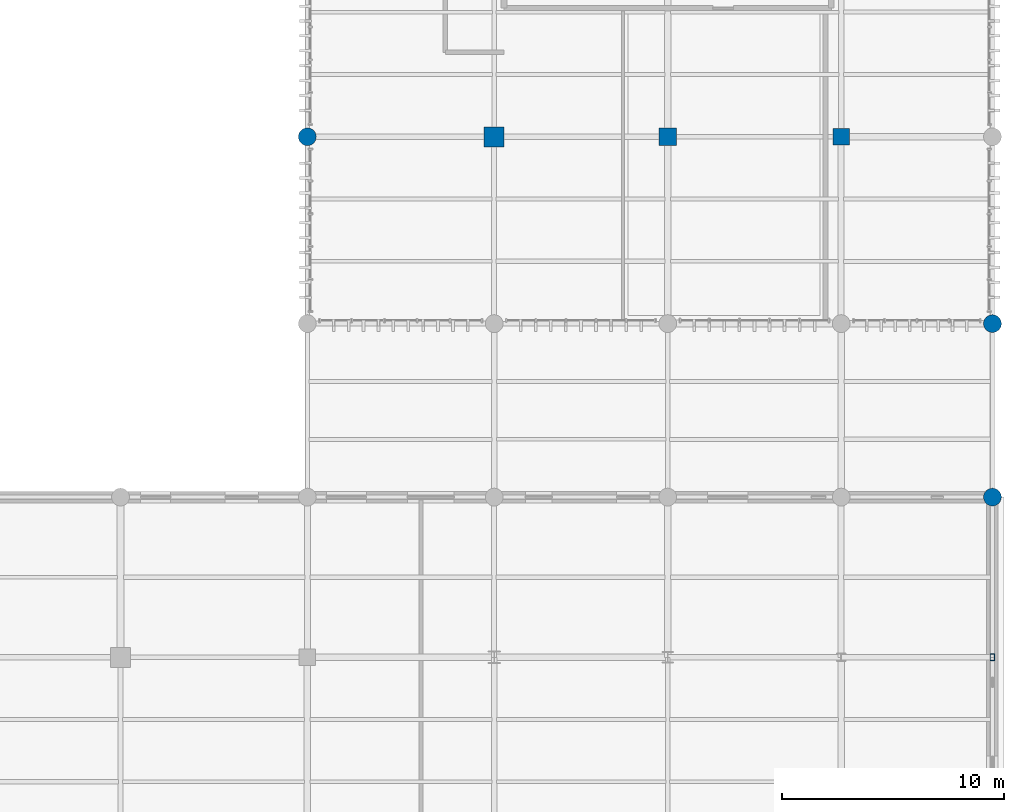
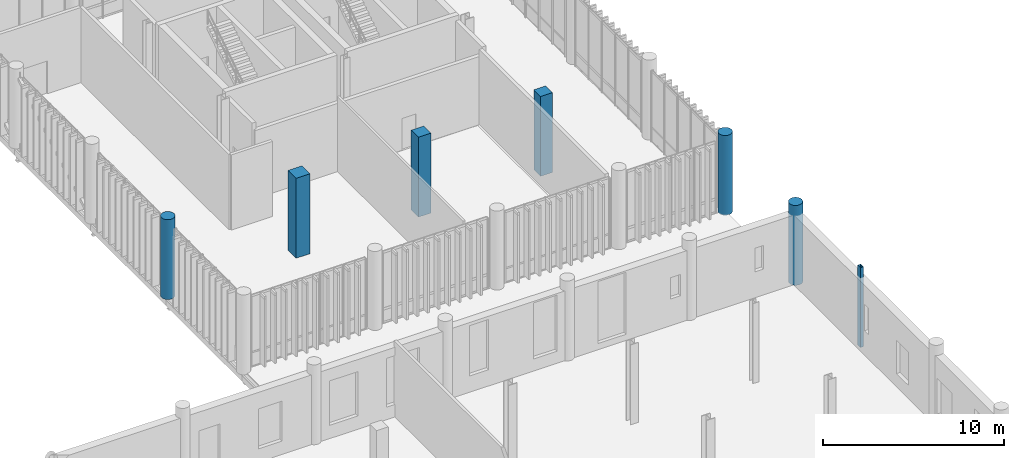
# One storey, part 12 of 128: 7 columns.
"""IFC4 building model written with IfcOpenShell, lengths in metres."""

from ifc_helpers import new_model, si_unit, direction, frame, origin_with_axes, origin_2d_with_axis, place, context, subcontext, project, spatial, rectangle, hollow_rectangle, circle, extrude, material, material_profile, profile_set, type_object, element, save


model = new_model("IFC4")

# Units and contexts
model_context = context("Model", 3, precision=1e-05, world=origin_with_axes(), true_north=direction((0.0, 1.0)))
body_context = subcontext(model_context, "Body", "Model", "MODEL_VIEW")
ifc_project = project(units=[si_unit("LENGTHUNIT", "METRE"), si_unit("AREAUNIT", "SQUARE_METRE"), si_unit("VOLUMEUNIT", "CUBIC_METRE"), si_unit("PLANEANGLEUNIT", "RADIAN"), si_unit("MASSUNIT", "GRAM", prefix="KILO"), si_unit("THERMODYNAMICTEMPERATUREUNIT", "KELVIN")], contexts=[model_context])

# Site, building, storey
site_placement = place(None, origin_with_axes())
site = spatial("IfcSite", under=ifc_project, at=site_placement, CompositionType="ELEMENT")
building_placement = place(site_placement, origin_with_axes())
building = spatial("IfcBuilding", under=site, at=building_placement, Name="Montbau Bow Law Courts", CompositionType="ELEMENT")
storey_placement = place(building_placement, frame((0.0, 0.0, 5.4), z_axis=(0.0, 0.0, 1.0), x_axis=(1.0, 0.0, 0.0)))
storey = spatial("IfcBuildingStorey", under=building, at=storey_placement, Name="L01", CompositionType="ELEMENT", Elevation=5.4)

# Columns
ifc_material_1 = material(Name="Steel CSA G40.21 Grade 350WT (350 MPa)", Category="steel")
ifc_material_profile_1 = material_profile(ifc_material_1, hollow_rectangle(XDim=0.203, YDim=0.305, WallThickness=0.0127, InnerFilletRadius=0.0254, OuterFilletRadius=0.0127, at=origin_2d_with_axis()), Name="HSS305X203X13", Category="Main", Priority=0)
ifc_profile_set_1 = profile_set([ifc_material_profile_1], Name="Steel CSA G40.21 Grade 350WT (350 MPa)")
column_type_1 = type_object("IfcColumnType", Name="C-HSS-03", PredefinedType="COLUMN", material=ifc_profile_set_1)
column_1_placement = place(None, frame((169.4, 54.6, 5.4), z_axis=(0.0, 0.0, 1.0), x_axis=(1.0, 0.0, 0.0)))
element("IfcColumn", 1, at=column_1_placement, inside=storey, type_object=column_type_1, Name="C-L01-S0513:col2_0513", PredefinedType="COLUMN", context=body_context, shape_type="SweptSolid", body=[
    extrude(hollow_rectangle(XDim=0.203, YDim=0.305, WallThickness=0.0127, InnerFilletRadius=0.0254, OuterFilletRadius=0.0127, at=origin_2d_with_axis()), origin_with_axes(), (0.0, 0.0, 1.0), 5.4),
])
ifc_material_2 = material(Name="Concrete CSA A23.1 f'c 45 MPa", Category="concrete")
ifc_material_profile_2 = material_profile(ifc_material_2, rectangle(XDim=0.9, YDim=0.9, at=origin_2d_with_axis()), Name="RC900X900", Category="Main", Priority=0)
ifc_profile_set_2 = profile_set([ifc_material_profile_2], Name="Concrete CSA A23.1 f'c 45 MPa")
column_type_2 = type_object("IfcColumnType", Name="C-RC-01", PredefinedType="COLUMN", material=ifc_profile_set_2)
column_2_placement = place(None, frame((147.0, 78.0, 5.4), z_axis=(0.0, 0.0, 1.0), x_axis=(1.0, 0.0, 0.0)))
element("IfcColumn", 2, at=column_2_placement, inside=storey, type_object=column_type_2, Name="C-L01-S0477:col2_0477", PredefinedType="COLUMN", context=body_context, shape_type="SweptSolid", body=[
    extrude(rectangle(XDim=0.9, YDim=0.9, at=origin_2d_with_axis()), origin_with_axes(), (0.0, 0.0, 1.0), 5.4),
])
ifc_material_profile_3 = material_profile(ifc_material_2, rectangle(XDim=0.8, YDim=0.8, at=origin_2d_with_axis()), Name="RC800X800", Category="Main", Priority=0)
ifc_profile_set_3 = profile_set([ifc_material_profile_3], Name="Concrete CSA A23.1 f'c 45 MPa")
column_type_3 = type_object("IfcColumnType", Name="C-RC-02", PredefinedType="COLUMN", material=ifc_profile_set_3)
column_3_placement = place(None, frame((154.8, 78.0, 5.4), z_axis=(0.0, 0.0, 1.0), x_axis=(1.0, 0.0, 0.0)))
element("IfcColumn", 3, at=column_3_placement, inside=storey, type_object=column_type_3, Name="C-L01-S0490:col2_0490", PredefinedType="COLUMN", context=body_context, shape_type="SweptSolid", body=[
    extrude(rectangle(XDim=0.8, YDim=0.8, at=origin_2d_with_axis()), origin_with_axes(), (0.0, 0.0, 1.0), 5.4),
])
ifc_material_3 = material(Name="Concrete CSA A23.1 f'c 40 MPa", Category="concrete")
ifc_material_profile_4 = material_profile(ifc_material_3, rectangle(XDim=0.75, YDim=0.75, at=origin_2d_with_axis()), Name="RC750X750", Category="Main", Priority=0)
ifc_profile_set_4 = profile_set([ifc_material_profile_4], Name="Concrete CSA A23.1 f'c 40 MPa")
column_type_4 = type_object("IfcColumnType", Name="C-RC-03", PredefinedType="COLUMN", material=ifc_profile_set_4)
column_4_placement = place(None, frame((162.6, 78.0, 5.4), z_axis=(0.0, 0.0, 1.0), x_axis=(1.0, 0.0, 0.0)))
element("IfcColumn", 4, at=column_4_placement, inside=storey, type_object=column_type_4, Name="C-L01-S0503:col2_0503", PredefinedType="COLUMN", context=body_context, shape_type="SweptSolid", body=[
    extrude(rectangle(XDim=0.75, YDim=0.75, at=origin_2d_with_axis()), origin_with_axes(), (0.0, 0.0, 1.0), 5.4),
])
ifc_material_profile_5 = material_profile(ifc_material_3, circle(Radius=0.4, at=origin_2d_with_axis()), Name="RC800D", Category="Main", Priority=0)
ifc_profile_set_5 = profile_set([ifc_material_profile_5], Name="Concrete CSA A23.1 f'c 40 MPa")
column_type_5 = type_object("IfcColumnType", Name="C-RC-07", PredefinedType="COLUMN", material=ifc_profile_set_5)
for number, where, z_axis, x_axis, name in (
    (5, (138.6, 78.0, 5.4), (0.0, 0.0, 1.0), (1.0, 0.0, 0.0), "C-L01-S0464:col2_0464"),
    (6, (169.4, 61.8, 5.4), (0.0, 0.0, 1.0), (1.0, 0.0, 0.0), "C-L01-S0514:col2_0514"),
    (7, (169.4, 69.6, 5.4), (0.0, 0.0, 1.0), (1.0, 0.0, 0.0), "C-L01-S0515:col2_0515"),
):
    element("IfcColumn", number, at=place(None, frame(where, z_axis=z_axis, x_axis=x_axis)), inside=storey, type_object=column_type_5, Name=name, PredefinedType="COLUMN", context=body_context, shape_type="SweptSolid", body=[
        extrude(circle(Radius=0.4, at=origin_2d_with_axis()), origin_with_axes(), (0.0, 0.0, 1.0), 5.4),
    ])

save(model, "model.ifc")
